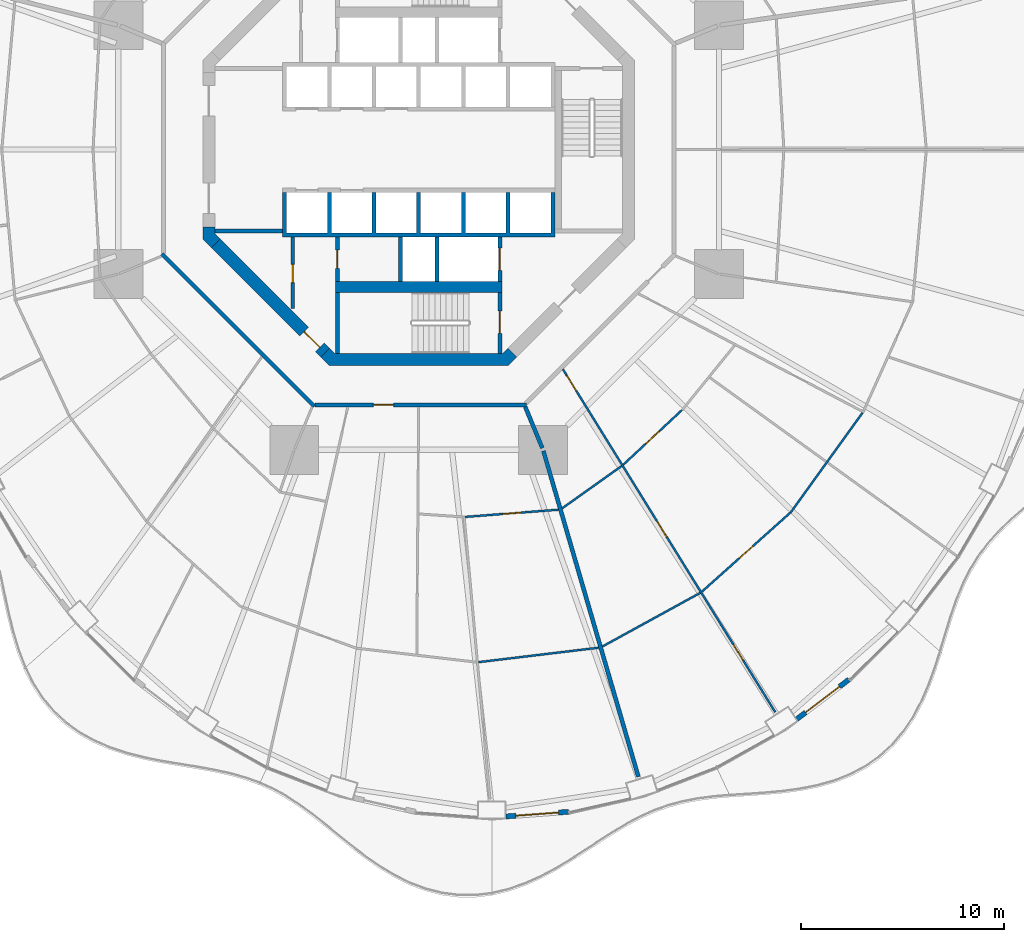
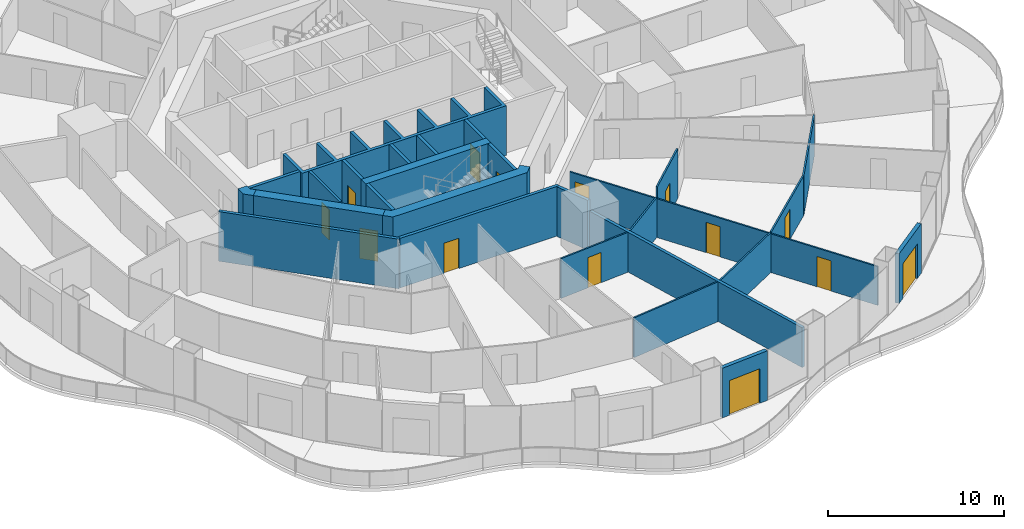
# One storey, part 15 of 22: 27 walls, 14 doors, 14 openings.
"""IFC4 building model written with IfcOpenShell, lengths in metres."""

import ifcopenshell
import ifcopenshell.guid

model = None  # the IFC model being written
_history = None  # IfcOwnerHistory: only IFC2X3 demands one
_inside = {}  # id of a spatial element -> (the spatial element, [elements in it])
_under = {}  # id of a project, library or spatial element -> (it, [spatial elements below it])
_declared = {}  # id of a project -> (the project, [libraries it declares])
_typed = {}  # id of a type object -> (the type object, [elements of that type])
_made_of = {}  # id of a material, layer set ... -> (it, [elements and type objects made of it])


def new_model(schema):
    """Start an empty IFC model of exactly this schema.

    Asked for "IFC4X3", IfcOpenShell would pick the latest addendum, in which some entities
    have other attributes; the version numbers below select the first issue.
    IFC2X3 requires an IfcOwnerHistory on every rooted entity: one is made here for all.
    """
    global model, _history
    if schema == "IFC4X3":
        model = ifcopenshell.file(schema_version=(4, 3, 0, 0))
    else:
        model = ifcopenshell.file(schema=schema)
    _inside.clear()
    _under.clear()
    _declared.clear()
    _typed.clear()
    _made_of.clear()
    _history = None
    if model.schema == "IFC2X3":
        org = make("IfcOrganization", Name="unknown")
        user = make(
            "IfcPersonAndOrganization",
            ThePerson=make("IfcPerson", FamilyName="unknown"),
            TheOrganization=org,
        )
        app = make(
            "IfcApplication",
            ApplicationDeveloper=org,
            Version="unknown",
            ApplicationFullName="unknown",
            ApplicationIdentifier="unknown",
        )
        _history = make(
            "IfcOwnerHistory",
            OwningUser=user,
            OwningApplication=app,
            ChangeAction="ADDED",
            CreationDate=0,
        )
    return model


def make(cls, **values):
    """One entity of the class cls with the attributes given. An attribute that is None is left unset."""
    return model.create_entity(
        cls, **{name: value for name, value in values.items() if value is not None}
    )


def rooted(cls, **values):
    """An entity with a GlobalId (a new one), such as an element, a storey or a relation."""
    return make(cls, GlobalId=ifcopenshell.guid.new(), OwnerHistory=_history, **values)


def si_unit(unit_type, name, prefix=None):
    """IfcSIUnit, for example si_unit("LENGTHUNIT", "METRE", prefix="MILLI")."""
    return make("IfcSIUnit", UnitType=unit_type, Prefix=prefix, Name=name)


def assignment(units):
    """IfcUnitAssignment: the units of a project."""
    return None if units is None else make("IfcUnitAssignment", Units=units)


def point(xyz):
    """IfcCartesianPoint."""
    return None if xyz is None else make("IfcCartesianPoint", Coordinates=xyz)


def direction(xyz):
    """IfcDirection."""
    return None if xyz is None else make("IfcDirection", DirectionRatios=xyz)


def frame(location, z_axis=None, x_axis=None):
    """IfcAxis2Placement3D, a coordinate frame: its origin and axes. An axis left out is left unset."""
    return make(
        "IfcAxis2Placement3D",
        Location=point(location),
        Axis=direction(z_axis),
        RefDirection=direction(x_axis),
    )


def frame_2d(location, x_axis=None):
    """IfcAxis2Placement2D, a coordinate frame in the plane: its origin and x axis."""
    return make(
        "IfcAxis2Placement2D", Location=point(location), RefDirection=direction(x_axis)
    )


def origin():
    """The frame at (0, 0, 0) with its axes left unset."""
    return frame((0.0, 0.0, 0.0))


def place(relative_to, where):
    """IfcLocalPlacement: puts the frame where relative to a parent placement (None: the world)."""
    return make(
        "IfcLocalPlacement", PlacementRelTo=relative_to, RelativePlacement=where
    )


def context(
    kind, dimensions, precision=None, world=None, true_north=None, identifier=None
):
    """IfcGeometricRepresentationContext, for example the 3D "Model" context."""
    return make(
        "IfcGeometricRepresentationContext",
        ContextIdentifier=identifier,
        ContextType=kind,
        CoordinateSpaceDimension=dimensions,
        Precision=precision,
        WorldCoordinateSystem=world,
        TrueNorth=true_north,
    )


def subcontext(parent, identifier, kind, view, scale=None):
    """IfcGeometricRepresentationSubContext, for example "Body" below "Model"."""
    return make(
        "IfcGeometricRepresentationSubContext",
        ContextIdentifier=identifier,
        ContextType=kind,
        ParentContext=parent,
        TargetScale=scale,
        TargetView=view,
    )


def project(units=None, contexts=None):
    """IfcProject with its units and contexts."""
    return rooted(
        "IfcProject",
        Name="project",
        RepresentationContexts=contexts,
        UnitsInContext=assignment(units),
    )


def spatial(cls, under=None, at=None, **own):
    """A site, building, storey or space (cls), placed at a placement, below another one or the project."""
    s = rooted(cls, ObjectPlacement=at, **own)
    if under is not None:
        _under.setdefault(under.id(), (under, []))[1].append(s)
    return s


def polyline(points):
    """IfcPolyline through the points."""
    return make("IfcPolyline", Points=[point(p) for p in points])


def profile(cls, at=None, kind="AREA", **sizes):
    """A parametric profile (cls). Its sizes go by their IFC names, for example OverallWidth=200.0."""
    return make(cls, ProfileType=kind, Position=at, **sizes)


def rectangle(**sizes):
    """IfcRectangleProfileDef."""
    return profile("IfcRectangleProfileDef", **sizes)


def outline(outer, holes=None, kind="AREA"):
    """IfcArbitraryClosedProfileDef: a profile drawn as a closed curve; with holes, ...WithVoids."""
    if holes is None:
        return make("IfcArbitraryClosedProfileDef", ProfileType=kind, OuterCurve=outer)
    return make(
        "IfcArbitraryProfileDefWithVoids",
        ProfileType=kind,
        OuterCurve=outer,
        InnerCurves=holes,
    )


def extrude(swept, where, along, depth):
    """IfcExtrudedAreaSolid: the profile swept, set in the frame where, extruded along a direction by depth."""
    return make(
        "IfcExtrudedAreaSolid",
        SweptArea=swept,
        Position=where,
        ExtrudedDirection=direction(along),
        Depth=depth,
    )


def shape(context_of_items, identifier, shape_type, items):
    """IfcShapeRepresentation: the items that make up one representation, for example the "Body"."""
    return make(
        "IfcShapeRepresentation",
        ContextOfItems=context_of_items,
        RepresentationIdentifier=identifier,
        RepresentationType=shape_type,
        Items=items,
    )


def material(Name=None, Category=None):
    """IfcMaterial."""
    return make("IfcMaterial", Name=Name, Category=Category)


def layer(
    of_material, thickness, ventilated=None, Name=None, Category=None, Priority=None
):
    """IfcMaterialLayer: one layer of a wall or slab, of a material (None: an air gap)."""
    return make(
        "IfcMaterialLayer",
        Material=of_material,
        LayerThickness=thickness,
        IsVentilated=ventilated,
        Name=Name,
        Category=Category,
        Priority=Priority,
    )


def layer_set(layers, Name=None):
    """IfcMaterialLayerSet."""
    return make("IfcMaterialLayerSet", MaterialLayers=layers, LayerSetName=Name)


def made_of(thing, what):
    """Note that an element or type object is made of a material, layer set ...; save() writes the relation."""
    if what is not None:
        _made_of.setdefault(what.id(), (what, []))[1].append(thing)
    return thing


def type_object(cls, material=None, **own):
    """A type object (cls), such as IfcWallType, which elements share."""
    return made_of(rooted(cls, **own), material)


def element(
    cls,
    number,
    at=None,
    inside=None,
    cuts=None,
    type_object=None,
    material=None,
    context=None,
    identifier="Body",
    shape_type=None,
    held_by="IfcProductDefinitionShape",
    body=None,
    shapes=None,
    **own,
):
    """One element of the class cls, such as IfcWall. Its Tag is "e" and its number.

    at: its placement. inside: the storey or other place that contains it. cuts: it is an
    opening in that element (IfcRelVoidsElement). A single representation is given by context,
    identifier, shape_type and body (its items); several are given by shapes. held_by: the class
    of the entity that holds the representations. save() writes the other relations.
    """
    e = rooted(cls, Tag="e%d" % number, ObjectPlacement=at, **own)
    if body is not None:
        shapes = [shape(context, identifier, shape_type, body)]
    if shapes is not None:
        e.Representation = make(held_by, Representations=shapes)
    if inside is not None:
        _inside.setdefault(inside.id(), (inside, []))[1].append(e)
    if cuts is not None:
        rooted(
            "IfcRelVoidsElement", RelatingBuildingElement=cuts, RelatedOpeningElement=e
        )
    if type_object is not None:
        _typed.setdefault(type_object.id(), (type_object, []))[1].append(e)
    return made_of(e, material)


def fill(opening, filler):
    """IfcRelFillsElement: the door or window that sits in an opening."""
    return rooted(
        "IfcRelFillsElement",
        RelatingOpeningElement=opening,
        RelatedBuildingElement=filler,
    )


def aggregate(whole, parts):
    """IfcRelAggregates: a whole, such as a stair, and the parts it consists of."""
    return rooted("IfcRelAggregates", RelatingObject=whole, RelatedObjects=parts)


def save(model, path):
    """Write the relations noted so far, then the file.

    IfcRelAggregates (storeys below a building ...), IfcRelContainedInSpatialStructure (elements
    in a storey), IfcRelDefinesByType, IfcRelAssociatesMaterial and IfcRelDeclares: one each for
    every whole, place, type object, material and project.
    """
    for whole, parts in _under.values():
        aggregate(whole, parts)
    for where, things in _inside.values():
        rooted(
            "IfcRelContainedInSpatialStructure",
            RelatedElements=things,
            RelatingStructure=where,
        )
    for kind, things in _typed.values():
        rooted("IfcRelDefinesByType", RelatedObjects=things, RelatingType=kind)
    for what, things in _made_of.values():
        rooted("IfcRelAssociatesMaterial", RelatedObjects=things, RelatingMaterial=what)
    for by, libraries in _declared.values():
        rooted("IfcRelDeclares", RelatingContext=by, RelatedDefinitions=libraries)
    model.write(path)


model = new_model("IFC4")

# Units and contexts
model_context = context("Model", 3, precision=1e-05, world=origin(), true_north=direction((0.0, 1.0)))
body_context = subcontext(model_context, "Body", "Model", "MODEL_VIEW")
ifc_project = project(units=[si_unit("LENGTHUNIT", "METRE"), si_unit("AREAUNIT", "SQUARE_METRE"), si_unit("VOLUMEUNIT", "CUBIC_METRE"), si_unit("PLANEANGLEUNIT", "RADIAN"), si_unit("MASSUNIT", "GRAM", prefix="KILO")], contexts=[model_context])

# Site, building, storey
site_placement = place(None, origin())
site = spatial("IfcSite", under=ifc_project, at=site_placement, CompositionType="ELEMENT")
building_placement = place(site_placement, origin())
building = spatial("IfcBuilding", under=site, at=building_placement, Name="Nagisa Residences", CompositionType="ELEMENT")
storey_placement = place(building_placement, frame((0.0, 0.0, 45.5)))
storey = spatial("IfcBuildingStorey", under=building, at=storey_placement, Name="L10", CompositionType="ELEMENT", Elevation=45.5)

# Walls
ifc_material_1 = material(Name="Gypsum board on steel studs", Category="steel")
ifc_layer_1 = layer(ifc_material_1, 0.199951171875)
ifc_layer_set_1 = layer_set([ifc_layer_1], Name="Apartment compartment wall EI60 200")
wall_type_1 = type_object("IfcWallType", Name="Apartment compartment wall EI60 200", PredefinedType="PARTITIONING", material=ifc_layer_set_1)
wall_1_placement = place(storey_placement, frame((5.24267578125, -12.6572265625, 0.0), z_axis=(0.0, 0.0, 1.0), x_axis=(0.382707856524, -0.923869415315, 0.0)))
element("IfcWall", 1, at=wall_1_placement, inside=storey, type_object=wall_type_1, Name="wall:L10:u04", PredefinedType="PARTITIONING", context=body_context, shape_type="SweptSolid", body=[
    extrude(rectangle(XDim=2.2001953125, YDim=0.199951171875, at=frame_2d((1.10009765625, 0.0))), origin(), (0.0, 0.0, 1.0), 3.43994140625),
])
wall_2_placement = place(storey_placement, frame((6.136962890625, -14.830078125, 0.0), z_axis=(0.0, 0.0, 1.0), x_axis=(0.27985745069, -0.960041565399, 0.0)))
element("IfcWall", 2, at=wall_2_placement, inside=storey, type_object=wall_type_1, Name="wall:L10:u05", PredefinedType="PARTITIONING", context=body_context, shape_type="SweptSolid", body=[
    extrude(rectangle(XDim=16.705078125, YDim=0.199951171875, at=frame_2d((8.3525390625, 0.0))), origin(), (0.0, 0.0, 1.0), 2.756103515625),
])
ifc_material_2 = material(Name="Gypsum board on steel studs", Category="steel")
ifc_layer_2 = layer(ifc_material_2, 0.199951171875)
ifc_layer_set_2 = layer_set([ifc_layer_2], Name="Apartment entry wall EI60 200")
wall_type_2 = type_object("IfcWallType", Name="Apartment entry wall EI60 200", PredefinedType="PARTITIONING", material=ifc_layer_set_2)
wall_3_placement = place(storey_placement, frame((-12.635498046875, -5.1337890625, 0.0), z_axis=(0.0, 0.0, 1.0), x_axis=(0.707106781187, -0.707106781187, 0.0)))
element("IfcWall", 3, at=wall_3_placement, inside=storey, type_object=wall_type_2, Name="wall:L10:u11", PredefinedType="PARTITIONING", context=body_context, shape_type="SweptSolid", body=[
    extrude(rectangle(XDim=10.609130859375, YDim=0.199951171875, at=frame_2d((5.3046875, 0.0))), origin(), (0.0, 0.0, 1.0), 3.43994140625),
])

# Wall, opening, door
wall_4_placement = place(storey_placement, frame((-5.1044921875, -12.564697265625, 0.0), z_axis=(0.0, 0.0, 1.0), x_axis=(1.0, 0.0, 0.0)))
wall_4 = element("IfcWall", 4, at=wall_4_placement, inside=storey, type_object=wall_type_2, Name="wall:L10:u12", PredefinedType="PARTITIONING", context=body_context, shape_type="SweptSolid", body=[
    extrude(rectangle(XDim=10.408935546875, YDim=0.199951171875, at=frame_2d((5.20458984375, 0.0))), origin(), (0.0, 0.0, 1.0), 3.43994140625),
])
opening_1_placement = place(wall_4_placement, frame((2.86962890625, 0.0, 0.0)))
opening_1 = element("IfcOpeningElement", 5, at=opening_1_placement, cuts=wall_4, Name="Opening L10-U21", PredefinedType="OPENING", context=body_context, shape_type="SweptSolid", body=[
    extrude(rectangle(XDim=1.0, YDim=2.10009765625, at=frame_2d((0.5, 1.050048828125))), frame((0.0, 0.10986328125, 0.0), z_axis=(0.0, -1.0, 0.0), x_axis=(1.0, 0.0, 0.0)), (0.0, 0.0, 1.0), 0.219970703125),
])
ifc_material_3 = material(Name="Timber fire door set", Category="wood")
door_type_1 = type_object("IfcDoorType", Name="Apartment entry door FD30S 1000x2100", OperationType="NOTDEFINED", PredefinedType="DOOR", material=ifc_material_3)
door_1_placement = place(opening_1_placement, frame((1.0, 0.0, 0.0), x_axis=(-1.0, 0.0, 0.0)))
door_1 = element("IfcDoor", 6, at=door_1_placement, inside=storey, type_object=door_type_1, Name="Entry door, Apartment 10B", OperationType="SINGLE_SWING_RIGHT", OverallHeight=2.10009765625, OverallWidth=1.0, PredefinedType="DOOR", context=body_context, shape_type="SweptSolid", body=[
    extrude(rectangle(XDim=1.0, YDim=2.10009765625, at=frame_2d((0.5, 1.050048828125))), frame((0.0, 0.02490234375, 0.0), z_axis=(0.0, -1.0, 0.0), x_axis=(1.0, 0.0, 0.0)), (0.0, 0.0, 1.0), 0.050048828125),
])
fill(opening_1, door_1)

ifc_material_4 = material(Name="Gypsum board on steel studs", Category="steel")
ifc_layer_3 = layer(ifc_material_4, 0.10009765625)
ifc_layer_set_3 = layer_set([ifc_layer_3], Name="Apartment partition 100")
wall_type_3 = type_object("IfcWallType", Name="Apartment partition 100", PredefinedType="PARTITIONING", material=ifc_layer_set_3)
wall_5_placement = place(storey_placement, frame((2.288330078125, -18.078369140625, 0.0), z_axis=(0.0, 0.0, 1.0), x_axis=(0.99701850123, 0.077162868047, 0.0)))
wall_5 = element("IfcWall", 7, at=wall_5_placement, inside=storey, type_object=wall_type_3, Name="wall:L10:u77", PredefinedType="PARTITIONING", context=body_context, shape_type="SweptSolid", body=[
    extrude(rectangle(XDim=4.603515625, YDim=0.10009765625, at=frame_2d((2.3017578125, 0.0))), origin(), (0.0, 0.0, 1.0), 2.756103515625),
])
opening_2_placement = place(wall_5_placement, frame((1.851806640625, 0.0, 0.0)))
opening_2 = element("IfcOpeningElement", 8, at=opening_2_placement, cuts=wall_5, Name="Opening L10-U26", PredefinedType="OPENING", context=body_context, shape_type="SweptSolid", body=[
    extrude(rectangle(XDim=0.89990234375, YDim=2.10009765625, at=frame_2d((0.449951171875, 1.050048828125))), frame((0.0, 0.06005859375, 0.0), z_axis=(0.0, -1.0, 0.0), x_axis=(1.0, 0.0, 0.0)), (0.0, 0.0, 1.0), 0.1201171875),
])
ifc_material_5 = material(Name="Timber door set", Category="wood")
door_type_2 = type_object("IfcDoorType", Name="Apartment door 900x2100", OperationType="NOTDEFINED", PredefinedType="DOOR", material=ifc_material_5)
door_2_placement = place(opening_2_placement, frame((0.89990234375, 0.0, 0.0), x_axis=(-1.0, 0.0, 0.0)))
door_2 = element("IfcDoor", 9, at=door_2_placement, inside=storey, type_object=door_type_2, Name="Door to kitchen, Apartment 10B", OperationType="SINGLE_SWING_LEFT", OverallHeight=2.10009765625, OverallWidth=0.89990234375, PredefinedType="DOOR", context=body_context, shape_type="SweptSolid", body=[
    extrude(rectangle(XDim=0.89990234375, YDim=2.10009765625, at=frame_2d((0.449951171875, 1.050048828125))), frame((0.0, 0.02490234375, 0.0), z_axis=(0.0, -1.0, 0.0), x_axis=(1.0, 0.0, 0.0)), (0.0, 0.0, 1.0), 0.050048828125),
])
fill(opening_2, door_2)

# Walls
wall_6_placement = place(storey_placement, frame((2.94091796875, -25.228515625, 0.0), z_axis=(0.0, 0.0, 1.0), x_axis=(0.992834127896, 0.119500604542, 0.0)))
element("IfcWall", 10, at=wall_6_placement, inside=storey, type_object=wall_type_3, Name="wall:L10:u78", PredefinedType="PARTITIONING", context=body_context, shape_type="SweptSolid", body=[
    extrude(rectangle(XDim=5.95947265625, YDim=0.10009765625, at=frame_2d((2.979736328125, 0.0))), origin(), (0.0, 0.0, 1.0), 2.756103515625),
])
wall_7_placement = place(storey_placement, frame((7.0595703125, -17.657470703125, 0.0), z_axis=(0.0, 0.0, 1.0), x_axis=(0.81492039338, 0.57957290521, 0.0)))
element("IfcWall", 11, at=wall_7_placement, inside=storey, type_object=wall_type_3, Name="wall:L10:u79", PredefinedType="PARTITIONING", context=body_context, shape_type="SweptSolid", body=[
    extrude(rectangle(XDim=3.594482421875, YDim=0.10009765625, at=frame_2d((1.79736328125, 0.0))), origin(), (0.0, 0.0, 1.0), 2.756103515625),
])
wall_8_placement = place(storey_placement, frame((9.044677734375, -24.456298828125, 0.0), z_axis=(0.0, 0.0, 1.0), x_axis=(0.876809987787, 0.480837025734, 0.0)))
element("IfcWall", 12, at=wall_8_placement, inside=storey, type_object=wall_type_3, Name="wall:L10:u80", PredefinedType="PARTITIONING", context=body_context, shape_type="SweptSolid", body=[
    extrude(rectangle(XDim=5.486083984375, YDim=0.10009765625, at=frame_2d((2.7431640625, 0.0))), origin(), (0.0, 0.0, 1.0), 2.756103515625),
])

# Wall, openings, doors
wall_9_placement = place(storey_placement, frame((7.09716796875, -10.809814453125, 0.0), z_axis=(0.0, 0.0, 1.0), x_axis=(0.526453266471, -0.850204068576, 0.0)))
wall_9 = element("IfcWall", 13, at=wall_9_placement, inside=storey, type_object=wall_type_3, Name="wall:L10:u81", PredefinedType="PARTITIONING", context=body_context, shape_type="SweptSolid", body=[
    extrude(rectangle(XDim=19.85009765625, YDim=0.10009765625, at=frame_2d((9.925048828125, 0.0))), origin(), (0.0, 0.0, 1.0), 2.68701171875),
])
opening_3_placement = place(wall_9_placement, frame((0.35009765625, 0.0, 0.0)))
opening_3 = element("IfcOpeningElement", 14, at=opening_3_placement, cuts=wall_9, Name="Opening L10-U50", PredefinedType="OPENING", context=body_context, shape_type="SweptSolid", body=[
    extrude(rectangle(XDim=0.89990234375, YDim=2.10009765625, at=frame_2d((0.449951171875, 1.050048828125))), frame((0.0, 0.06005859375, 0.0), z_axis=(0.0, -1.0, 0.0), x_axis=(1.0, 0.0, 0.0)), (0.0, 0.0, 1.0), 0.1201171875),
])
opening_4_placement = place(wall_9_placement, frame((8.794921875, 0.0, 0.0)))
opening_4 = element("IfcOpeningElement", 15, at=opening_4_placement, cuts=wall_9, Name="Opening L10-U51", PredefinedType="OPENING", context=body_context, shape_type="SweptSolid", body=[
    extrude(rectangle(XDim=0.89990234375, YDim=2.10009765625, at=frame_2d((0.449951171875, 1.050048828125))), frame((0.0, 0.06005859375, 0.0), z_axis=(0.0, -1.0, 0.0), x_axis=(1.0, 0.0, 0.0)), (0.0, 0.0, 1.0), 0.1201171875),
])
opening_5_placement = place(wall_9_placement, frame((15.93505859375, 0.0, 0.0)))
opening_5 = element("IfcOpeningElement", 16, at=opening_5_placement, cuts=wall_9, Name="Opening L10-U52", PredefinedType="OPENING", context=body_context, shape_type="SweptSolid", body=[
    extrude(rectangle(XDim=0.89990234375, YDim=2.10009765625, at=frame_2d((0.449951171875, 1.050048828125))), frame((0.0, 0.06005859375, 0.0), z_axis=(0.0, -1.0, 0.0), x_axis=(1.0, 0.0, 0.0)), (0.0, 0.0, 1.0), 0.1201171875),
])
door_3_placement = place(opening_3_placement, frame((0.89990234375, 0.0, 0.0), x_axis=(-1.0, 0.0, 0.0)))
door_3 = element("IfcDoor", 17, at=door_3_placement, inside=storey, type_object=door_type_2, Name="Door to laundry, Apartment 10C", OperationType="SINGLE_SWING_LEFT", OverallHeight=2.10009765625, OverallWidth=0.89990234375, PredefinedType="DOOR", context=body_context, shape_type="SweptSolid", body=[
    extrude(rectangle(XDim=0.89990234375, YDim=2.10009765625, at=frame_2d((0.449951171875, 1.050048828125))), frame((0.0, 0.02490234375, 0.0), z_axis=(0.0, -1.0, 0.0), x_axis=(1.0, 0.0, 0.0)), (0.0, 0.0, 1.0), 0.050048828125),
])
fill(opening_3, door_3)
door_4_placement = place(opening_4_placement, frame((0.89990234375, 0.0, 0.0), x_axis=(-1.0, 0.0, 0.0)))
door_4 = element("IfcDoor", 18, at=door_4_placement, inside=storey, type_object=door_type_2, Name="Door to kitchen, Apartment 10C", OperationType="SINGLE_SWING_RIGHT", OverallHeight=2.10009765625, OverallWidth=0.89990234375, PredefinedType="DOOR", context=body_context, shape_type="SweptSolid", body=[
    extrude(rectangle(XDim=0.89990234375, YDim=2.10009765625, at=frame_2d((0.449951171875, 1.050048828125))), frame((0.0, 0.02490234375, 0.0), z_axis=(0.0, -1.0, 0.0), x_axis=(1.0, 0.0, 0.0)), (0.0, 0.0, 1.0), 0.050048828125),
])
fill(opening_4, door_4)
door_5_placement = place(opening_5_placement, frame((0.89990234375, 0.0, 0.0), x_axis=(-1.0, 0.0, 0.0)))
door_5 = element("IfcDoor", 19, at=door_5_placement, inside=storey, type_object=door_type_2, Name="Door to master bedroom, Apartment 10C", OperationType="SINGLE_SWING_LEFT", OverallHeight=2.10009765625, OverallWidth=0.89990234375, PredefinedType="DOOR", context=body_context, shape_type="SweptSolid", body=[
    extrude(rectangle(XDim=0.89990234375, YDim=2.10009765625, at=frame_2d((0.449951171875, 1.050048828125))), frame((0.0, 0.02490234375, 0.0), z_axis=(0.0, -1.0, 0.0), x_axis=(1.0, 0.0, 0.0)), (0.0, 0.0, 1.0), 0.050048828125),
])
fill(opening_5, door_5)

# Wall, opening, door
wall_10_placement = place(storey_placement, frame((10.066162109375, -15.51123046875, 0.0), z_axis=(0.0, 0.0, 1.0), x_axis=(0.732022571638, 0.681280378855, 0.0)))
wall_10 = element("IfcWall", 20, at=wall_10_placement, inside=storey, type_object=wall_type_3, Name="wall:L10:u82", PredefinedType="PARTITIONING", context=body_context, shape_type="SweptSolid", body=[
    extrude(rectangle(XDim=3.9501953125, YDim=0.10009765625, at=frame_2d((1.97509765625, 0.0))), origin(), (0.0, 0.0, 1.0), 3.43994140625),
])
opening_6_placement = place(wall_10_placement, frame((1.525146484375, 0.0, 0.0)))
opening_6 = element("IfcOpeningElement", 21, at=opening_6_placement, cuts=wall_10, Name="Opening L10-U42", PredefinedType="OPENING", context=body_context, shape_type="SweptSolid", body=[
    extrude(rectangle(XDim=0.89990234375, YDim=2.10009765625, at=frame_2d((0.449951171875, 1.050048828125))), frame((0.0, 0.06005859375, 0.0), z_axis=(0.0, -1.0, 0.0), x_axis=(1.0, 0.0, 0.0)), (0.0, 0.0, 1.0), 0.1201171875),
])
door_6_placement = place(opening_6_placement, frame((0.89990234375, 0.0, 0.0), x_axis=(-1.0, 0.0, 0.0)))
door_6 = element("IfcDoor", 22, at=door_6_placement, inside=storey, type_object=door_type_2, Name="Door to family room, Apartment 10C", OperationType="SINGLE_SWING_LEFT", OverallHeight=2.10009765625, OverallWidth=0.89990234375, PredefinedType="DOOR", context=body_context, shape_type="SweptSolid", body=[
    extrude(rectangle(XDim=0.89990234375, YDim=2.10009765625, at=frame_2d((0.449951171875, 1.050048828125))), frame((0.0, 0.02490234375, 0.0), z_axis=(0.0, -1.0, 0.0), x_axis=(1.0, 0.0, 0.0)), (0.0, 0.0, 1.0), 0.050048828125),
])
fill(opening_6, door_6)

wall_11_placement = place(storey_placement, frame((13.936279296875, -21.760986328125, 0.0), z_axis=(0.0, 0.0, 1.0), x_axis=(0.745806142791, 0.666163041136, 0.0)))
wall_11 = element("IfcWall", 23, at=wall_11_placement, inside=storey, type_object=wall_type_3, Name="wall:L10:u83", PredefinedType="PARTITIONING", context=body_context, shape_type="SweptSolid", body=[
    extrude(rectangle(XDim=5.83056640625, YDim=0.10009765625, at=frame_2d((2.915283203125, 0.0))), origin(), (0.0, 0.0, 1.0), 2.756103515625),
])
opening_7_placement = place(wall_11_placement, frame((2.46533203125, 0.0, 0.0)))
opening_7 = element("IfcOpeningElement", 24, at=opening_7_placement, cuts=wall_11, Name="Opening L10-U46", PredefinedType="OPENING", context=body_context, shape_type="SweptSolid", body=[
    extrude(rectangle(XDim=0.89990234375, YDim=2.10009765625, at=frame_2d((0.449951171875, 1.050048828125))), frame((0.0, 0.06005859375, 0.0), z_axis=(0.0, -1.0, 0.0), x_axis=(1.0, 0.0, 0.0)), (0.0, 0.0, 1.0), 0.1201171875),
])
door_7_placement = place(opening_7_placement, frame((0.89990234375, 0.0, 0.0), x_axis=(-1.0, 0.0, 0.0)))
door_7 = element("IfcDoor", 25, at=door_7_placement, inside=storey, type_object=door_type_2, Name="Door to living room, Apartment 10C", OperationType="SINGLE_SWING_LEFT", OverallHeight=2.10009765625, OverallWidth=0.89990234375, PredefinedType="DOOR", context=body_context, shape_type="SweptSolid", body=[
    extrude(rectangle(XDim=0.89990234375, YDim=2.10009765625, at=frame_2d((0.449951171875, 1.050048828125))), frame((0.0, 0.02490234375, 0.0), z_axis=(0.0, -1.0, 0.0), x_axis=(1.0, 0.0, 0.0)), (0.0, 0.0, 1.0), 0.050048828125),
])
fill(opening_7, door_7)

# Wall
wall_12_placement = place(storey_placement, frame((18.292724609375, -17.884033203125, 0.0), z_axis=(0.0, 0.0, 1.0), x_axis=(0.584558392935, 0.811351640936, 0.0)))
element("IfcWall", 26, at=wall_12_placement, inside=storey, type_object=wall_type_3, Name="wall:L10:u85", PredefinedType="PARTITIONING", context=body_context, shape_type="SweptSolid", body=[
    extrude(rectangle(XDim=6.084228515625, YDim=0.10009765625, at=frame_2d((3.0419921875, 0.0))), origin(), (0.0, 0.0, 1.0), 2.756103515625),
])

# Wall, opening, door
ifc_material_6 = material(Name="Precast concrete C40/50", Category="concrete")
ifc_layer_4 = layer(ifc_material_6, 0.25)
ifc_layer_set_4 = layer_set([ifc_layer_4], Name="BALCONY DOOR WALL 250")
wall_type_4 = type_object("IfcWallType", Name="BALCONY DOOR WALL 250", PredefinedType="SOLIDWALL", material=ifc_layer_set_4)
wall_13_placement = place(storey_placement, frame((7.3759765625, -32.593017578125, 0.0), z_axis=(0.0, 0.0, 1.0), x_axis=(-0.997230834878, -0.074368420505, 0.0)))
wall_13 = element("IfcWall", 27, at=wall_13_placement, inside=storey, type_object=wall_type_4, Name="wall:L10:bay36", PredefinedType="SOLIDWALL", context=body_context, shape_type="SweptSolid", body=[
    extrude(rectangle(XDim=3.095703125, YDim=0.25, at=frame_2d((1.5478515625, 0.0))), origin(), (0.0, 0.0, 1.0), 3.43994140625),
])
opening_8_placement = place(wall_13_placement, frame((0.497802734375, 0.0, 0.0)))
opening_8 = element("IfcOpeningElement", 28, at=opening_8_placement, cuts=wall_13, Name="Opening BD-L10-13", PredefinedType="OPENING", context=body_context, shape_type="SweptSolid", body=[
    extrude(rectangle(XDim=2.10009765625, YDim=2.39990234375, at=frame_2d((1.050048828125, 1.199951171875))), frame((0.0, 0.135009765625, 0.0), z_axis=(0.0, -1.0, 0.0), x_axis=(1.0, 0.0, 0.0)), (0.0, 0.0, 1.0), 0.27001953125),
])
ifc_material_7 = material(Name="Aluminium and clear glass", Category="aluminium")
door_type_3 = type_object("IfcDoorType", Name="BALCONY SLIDING DOOR 2100x2400", OperationType="SLIDING_TO_LEFT", PredefinedType="DOOR", material=ifc_material_7)
door_8_placement = place(opening_8_placement, origin())
door_8 = element("IfcDoor", 29, at=door_8_placement, inside=storey, type_object=door_type_3, Name="door:L10:bay36", OperationType="SLIDING_TO_LEFT", OverallHeight=2.39990234375, OverallWidth=2.10009765625, PredefinedType="DOOR", context=body_context, shape_type="SweptSolid", body=[
    extrude(rectangle(XDim=2.10009765625, YDim=2.39990234375, at=frame_2d((1.050048828125, 1.199951171875))), frame((0.0, 0.02490234375, 0.0), z_axis=(0.0, -1.0, 0.0), x_axis=(1.0, 0.0, 0.0)), (0.0, 0.0, 1.0), 0.050048828125),
])
fill(opening_8, door_8)

wall_14_placement = place(storey_placement, frame((21.178466796875, -26.0810546875, 0.0), z_axis=(0.0, 0.0, 1.0), x_axis=(-0.796022293214, -0.605267303517, 0.0)))
wall_14 = element("IfcWall", 30, at=wall_14_placement, inside=storey, type_object=wall_type_4, Name="wall:L10:bay40", PredefinedType="SOLIDWALL", context=body_context, shape_type="SweptSolid", body=[
    extrude(rectangle(XDim=3.262451171875, YDim=0.25, at=frame_2d((1.63134765625, 0.0))), origin(), (0.0, 0.0, 1.0), 3.43994140625),
])
opening_9_placement = place(wall_14_placement, frame((0.5810546875, 0.0, 0.0)))
opening_9 = element("IfcOpeningElement", 31, at=opening_9_placement, cuts=wall_14, Name="Opening BD-L10-14", PredefinedType="OPENING", context=body_context, shape_type="SweptSolid", body=[
    extrude(rectangle(XDim=2.10009765625, YDim=2.39990234375, at=frame_2d((1.050048828125, 1.199951171875))), frame((0.0, 0.135009765625, 0.0), z_axis=(0.0, -1.0, 0.0), x_axis=(1.0, 0.0, 0.0)), (0.0, 0.0, 1.0), 0.27001953125),
])
door_9_placement = place(opening_9_placement, origin())
door_9 = element("IfcDoor", 32, at=door_9_placement, inside=storey, type_object=door_type_3, Name="door:L10:bay40", OperationType="SLIDING_TO_LEFT", OverallHeight=2.39990234375, OverallWidth=2.10009765625, PredefinedType="DOOR", context=body_context, shape_type="SweptSolid", body=[
    extrude(rectangle(XDim=2.10009765625, YDim=2.39990234375, at=frame_2d((1.050048828125, 1.199951171875))), frame((0.0, 0.02490234375, 0.0), z_axis=(0.0, -1.0, 0.0), x_axis=(1.0, 0.0, 0.0)), (0.0, 0.0, 1.0), 0.050048828125),
])
fill(opening_9, door_9)

ifc_material_8 = material(Name="Gypsum board on steel studs", Category="steel")
ifc_layer_5 = layer(ifc_material_8, 0.14990234375)
ifc_layer_set_5 = layer_set([ifc_layer_5], Name="Core partition 150")
wall_type_5 = type_object("IfcWallType", Name="Core partition 150", PredefinedType="PARTITIONING", material=ifc_layer_set_5)
wall_15_placement = place(storey_placement, frame((-6.199951171875, -7.826904296875, 0.0), z_axis=(0.0, 0.0, 1.0), x_axis=(0.0, 1.0, 0.0)))
wall_15 = element("IfcWall", 33, at=wall_15_placement, inside=storey, type_object=wall_type_5, Name="wall:L10:SWp", PredefinedType="PARTITIONING", context=body_context, shape_type="SweptSolid", body=[
    extrude(rectangle(XDim=3.52685546875, YDim=0.14990234375, at=frame_2d((1.763427734375, 0.0))), origin(), (0.0, 0.0, 1.0), 3.43994140625),
])
opening_10_placement = place(wall_15_placement, frame((1.27587890625, 0.0, 0.0)))
opening_10 = element("IfcOpeningElement", 34, at=opening_10_placement, cuts=wall_15, Name="Opening L10-C13", PredefinedType="OPENING", context=body_context, shape_type="SweptSolid", body=[
    extrude(rectangle(XDim=0.89990234375, YDim=2.10009765625, at=frame_2d((0.449951171875, 1.050048828125))), frame((0.0, 0.0849609375, 0.0), z_axis=(0.0, -1.0, 0.0), x_axis=(1.0, 0.0, 0.0)), (0.0, 0.0, 1.0), 0.169921875),
])
ifc_material_9 = material(Name="Steel fire door", Category="steel")
door_type_4 = type_object("IfcDoorType", Name="Fire door EI30 900x2100 single swing", OperationType="NOTDEFINED", PredefinedType="DOOR", material=ifc_material_9)
door_10_placement = place(opening_10_placement, origin())
door_10 = element("IfcDoor", 35, at=door_10_placement, inside=storey, type_object=door_type_4, Name="Janitor door L10", OperationType="SINGLE_SWING_RIGHT", OverallHeight=2.10009765625, OverallWidth=0.89990234375, PredefinedType="DOOR", context=body_context, shape_type="SweptSolid", body=[
    extrude(rectangle(XDim=0.89990234375, YDim=2.10009765625, at=frame_2d((0.449951171875, 1.050048828125))), frame((0.0, 0.02490234375, 0.0), z_axis=(0.0, -1.0, 0.0), x_axis=(1.0, 0.0, 0.0)), (0.0, 0.0, 1.0), 0.050048828125),
])
fill(opening_10, door_10)

# Wall
ifc_material_10 = material(Name="Gypsum board on steel studs", Category="steel")
ifc_layer_6 = layer(ifc_material_10, 0.199951171875)
ifc_layer_set_6 = layer_set([ifc_layer_6], Name="Core partition 200")
wall_type_6 = type_object("IfcWallType", Name="Core partition 200", PredefinedType="PARTITIONING", material=ifc_layer_set_6)
wall_16_placement = place(storey_placement, frame((-10.024658203125, -4.0, 0.0), z_axis=(0.0, 0.0, 1.0), x_axis=(1.0, 0.0, 0.0)))
element("IfcWall", 36, at=wall_16_placement, inside=storey, type_object=wall_type_6, Name="wall:L10:PSW", PredefinedType="PARTITIONING", context=body_context, shape_type="SweptSolid", body=[
    extrude(rectangle(XDim=3.32470703125, YDim=0.199951171875, at=frame_2d((1.662353515625, 0.0))), origin(), (0.0, 0.0, 1.0), 3.43994140625),
])

# Wall, opening, door
ifc_material_11 = material(Name="Concrete C60", Category="concrete")
ifc_layer_7 = layer(ifc_material_11, 0.60009765625)
ifc_layer_set_7 = layer_set([ifc_layer_7], Name="Core shear wall 600")
wall_type_7 = type_object("IfcWallType", Name="Core shear wall 600", PredefinedType="SHEAR", material=ifc_layer_set_7)
wall_17_placement = place(storey_placement, frame((-9.98828125, -4.613037109375, 0.0), z_axis=(0.0, 0.0, 1.0), x_axis=(0.707106781187, -0.707106781187, 0.0)))
wall_17 = element("IfcWall", 37, at=wall_17_placement, inside=storey, type_object=wall_type_7, Name="wall:L10:core:flat5", PredefinedType="SHEAR", context=body_context, shape_type="SweptSolid", body=[
    extrude(rectangle(XDim=7.601806640625, YDim=0.60009765625, at=frame_2d((3.80078125, 0.0))), origin(), (0.0, 0.0, 1.0), 3.43994140625),
])
opening_11_placement = place(wall_17_placement, frame((6.15087890625, 0.0, 0.0)))
opening_11 = element("IfcOpeningElement", 38, at=opening_11_placement, cuts=wall_17, Name="Opening L10-C20", PredefinedType="OPENING", context=body_context, shape_type="SweptSolid", body=[
    extrude(rectangle(XDim=1.10009765625, YDim=2.10009765625, at=frame_2d((0.550048828125, 1.050048828125))), frame((0.0, 0.31005859375, 0.0), z_axis=(0.0, -1.0, 0.0), x_axis=(1.0, 0.0, 0.0)), (0.0, 0.0, 1.0), 0.6201171875),
])
ifc_material_12 = material(Name="Steel fire door", Category="steel")
door_type_5 = type_object("IfcDoorType", Name="Fire door EI60 1100x2100 single swing", OperationType="NOTDEFINED", PredefinedType="DOOR", material=ifc_material_12)
door_11_placement = place(opening_11_placement, origin())
door_11 = element("IfcDoor", 39, at=door_11_placement, inside=storey, type_object=door_type_5, Name="Housekeeping lobby door L10", OperationType="SINGLE_SWING_RIGHT", OverallHeight=2.10009765625, OverallWidth=1.10009765625, PredefinedType="DOOR", context=body_context, shape_type="SweptSolid", body=[
    extrude(rectangle(XDim=1.10009765625, YDim=2.10009765625, at=frame_2d((0.550048828125, 1.050048828125))), frame((0.0, 0.02490234375, 0.0), z_axis=(0.0, -1.0, 0.0), x_axis=(1.0, 0.0, 0.0)), (0.0, 0.0, 1.0), 0.050048828125),
])
fill(opening_11, door_11)

# Walls
wall_18_placement = place(storey_placement, origin())
element("IfcWall", 40, at=wall_18_placement, inside=storey, type_object=wall_type_7, Name="wall:L10:core:pier4", PredefinedType="SHEAR", context=body_context, shape_type="SweptSolid", body=[
    extrude(outline(polyline([(-10.62451171875, -3.80078125), (-10.024658203125, -3.80078125), (-10.024658203125, -4.15234375), (-9.776123046875, -4.40087890625), (-10.200439453125, -4.8251953125), (-10.62451171875, -4.40087890625), (-10.62451171875, -3.80078125)])), origin(), (0.0, 0.0, 1.0), 3.43994140625),
])
wall_19_placement = place(storey_placement, origin())
element("IfcWall", 41, at=wall_19_placement, inside=storey, type_object=wall_type_7, Name="wall:L10:core:flat6", PredefinedType="SHEAR", context=body_context, shape_type="SweptSolid", body=[
    extrude(outline(polyline([(-4.15234375, -10.024658203125), (4.15234375, -10.024658203125), (4.40087890625, -9.776123046875), (4.8251953125, -10.200439453125), (4.40087890625, -10.62451171875), (-4.40087890625, -10.62451171875), (-4.8251953125, -10.200439453125), (-4.40087890625, -9.776123046875), (-4.15234375, -10.024658203125)])), origin(), (0.0, 0.0, 1.0), 3.43994140625),
])

# Wall, opening, door
ifc_material_13 = material(Name="Concrete C60", Category="concrete")
ifc_layer_8 = layer(ifc_material_13, 0.199951171875)
ifc_layer_set_8 = layer_set([ifc_layer_8], Name="Lift shaft wall 200")
wall_type_8 = type_object("IfcWallType", Name="Lift shaft wall 200", PredefinedType="SOLIDWALL", material=ifc_layer_set_8)
wall_20_placement = place(storey_placement, frame((4.0, -6.5, 0.0), z_axis=(0.0, 0.0, 1.0), x_axis=(0.0, 1.0, 0.0)))
wall_20 = element("IfcWall", 42, at=wall_20_placement, inside=storey, type_object=wall_type_8, Name="wall:L10:Sb3", PredefinedType="SOLIDWALL", context=body_context, shape_type="SweptSolid", body=[
    extrude(rectangle(XDim=2.199951171875, YDim=0.199951171875, at=frame_2d((1.10009765625, 0.0))), origin(), (0.0, 0.0, 1.0), 3.43994140625),
])
opening_12_placement = place(wall_20_placement, frame((0.550048828125, 0.0, 0.0)))
opening_12 = element("IfcOpeningElement", 43, at=opening_12_placement, cuts=wall_20, Name="Opening L10-C07", PredefinedType="OPENING", context=body_context, shape_type="SweptSolid", body=[
    extrude(rectangle(XDim=1.10009765625, YDim=2.10009765625, at=frame_2d((0.550048828125, 1.050048828125))), frame((0.0, 0.10986328125, 0.0), z_axis=(0.0, -1.0, 0.0), x_axis=(1.0, 0.0, 0.0)), (0.0, 0.0, 1.0), 0.219970703125),
])
ifc_material_14 = material(Name="Stainless steel", Category="steel")
door_type_6 = type_object("IfcDoorType", Name="Lift landing door 1100x2100", OperationType="DOUBLE_DOOR_SLIDING", PredefinedType="DOOR", material=ifc_material_14)
door_12_placement = place(opening_12_placement, origin())
door_12 = element("IfcDoor", 44, at=door_12_placement, inside=storey, type_object=door_type_6, Name="Landing door FL2 L10", OperationType="DOUBLE_DOOR_SLIDING", OverallHeight=2.10009765625, OverallWidth=1.10009765625, PredefinedType="DOOR", context=body_context, shape_type="SweptSolid", body=[
    extrude(rectangle(XDim=1.10009765625, YDim=2.10009765625, at=frame_2d((0.550048828125, 1.050048828125))), frame((0.0, 0.02490234375, 0.0), z_axis=(0.0, -1.0, 0.0), x_axis=(1.0, 0.0, 0.0)), (0.0, 0.0, 1.0), 0.050048828125),
])
fill(opening_12, door_12)

wall_21_placement = place(storey_placement, frame((-4.0, -6.5, 0.0), z_axis=(0.0, 0.0, 1.0), x_axis=(0.0, 1.0, 0.0)))
wall_21 = element("IfcWall", 45, at=wall_21_placement, inside=storey, type_object=wall_type_8, Name="wall:L10:Sb4", PredefinedType="SOLIDWALL", context=body_context, shape_type="SweptSolid", body=[
    extrude(rectangle(XDim=2.199951171875, YDim=0.199951171875, at=frame_2d((1.10009765625, 0.0))), origin(), (0.0, 0.0, 1.0), 3.43994140625),
])
opening_13_placement = place(wall_21_placement, frame((0.64990234375, 0.0, 0.0)))
opening_13 = element("IfcOpeningElement", 46, at=opening_13_placement, cuts=wall_21, Name="Opening L10-C14", PredefinedType="OPENING", context=body_context, shape_type="SweptSolid", body=[
    extrude(rectangle(XDim=0.89990234375, YDim=2.10009765625, at=frame_2d((0.449951171875, 1.050048828125))), frame((0.0, 0.10986328125, 0.0), z_axis=(0.0, -1.0, 0.0), x_axis=(1.0, 0.0, 0.0)), (0.0, 0.0, 1.0), 0.219970703125),
])
door_13_placement = place(opening_13_placement, frame((0.89990234375, 0.0, 0.0), x_axis=(-1.0, 0.0, 0.0)))
door_13 = element("IfcDoor", 47, at=door_13_placement, inside=storey, type_object=door_type_4, Name="Refuse room door L10", OperationType="SINGLE_SWING_RIGHT", OverallHeight=2.10009765625, OverallWidth=0.89990234375, PredefinedType="DOOR", context=body_context, shape_type="SweptSolid", body=[
    extrude(rectangle(XDim=0.89990234375, YDim=2.10009765625, at=frame_2d((0.449951171875, 1.050048828125))), frame((0.0, 0.02490234375, 0.0), z_axis=(0.0, -1.0, 0.0), x_axis=(1.0, 0.0, 0.0)), (0.0, 0.0, 1.0), 0.050048828125),
])
fill(opening_13, door_13)

# Walls
for number, where, z_axis, x_axis, name in (
    (48, (-0.89990234375, -6.5, 0.0), (0.0, 0.0, 1.0), (0.0, 1.0, 0.0), "wall:L10:Sb1"),
    (49, (0.89990234375, -6.5, 0.0), (0.0, 0.0, 1.0), (0.0, 1.0, 0.0), "wall:L10:Sb2"),
):
    element("IfcWall", number, at=place(storey_placement, frame(where, z_axis=z_axis, x_axis=x_axis)), inside=storey, type_object=wall_type_8, Name=name, PredefinedType="SOLIDWALL", context=body_context, shape_type="SweptSolid", body=[
        extrude(rectangle(XDim=2.199951171875, YDim=0.199951171875, at=frame_2d((1.10009765625, 0.0))), origin(), (0.0, 0.0, 1.0), 3.43994140625),
    ])
wall_22_placement = place(storey_placement, origin())
element("IfcWall", 50, at=wall_22_placement, inside=storey, type_object=wall_type_8, Name="wall:L10:Sback", PredefinedType="SOLIDWALL", context=body_context, shape_type="SweptSolid", body=[
    extrude(outline(polyline([(-6.699951171875, -2.10009765625), (-6.5, -2.10009765625), (-6.5, -4.10009765625), (-4.5, -4.10009765625), (-4.5, -2.10009765625), (-4.300048828125, -2.10009765625), (-4.300048828125, -4.10009765625), (-2.300048828125, -4.10009765625), (-2.300048828125, -2.10009765625), (-2.10009765625, -2.10009765625), (-2.10009765625, -4.10009765625), (-0.10009765625, -4.10009765625), (-0.10009765625, -2.10009765625), (0.10009765625, -2.10009765625), (0.10009765625, -4.10009765625), (2.10009765625, -4.10009765625), (2.10009765625, -2.10009765625), (2.300048828125, -2.10009765625), (2.300048828125, -4.10009765625), (4.300048828125, -4.10009765625), (4.300048828125, -2.10009765625), (4.5, -2.10009765625), (4.5, -4.10009765625), (6.5, -4.10009765625), (6.5, -2.10009765625), (6.699951171875, -2.10009765625), (6.699951171875, -4.300048828125), (-6.699951171875, -4.300048828125), (-6.699951171875, -2.10009765625)])), origin(), (0.0, 0.0, 1.0), 3.43994140625),
])

# Wall, opening, door
ifc_material_15 = material(Name="Concrete C60", Category="concrete")
ifc_layer_9 = layer(ifc_material_15, 0.199951171875)
ifc_layer_set_9 = layer_set([ifc_layer_9], Name="Stair enclosure wall 200")
wall_type_9 = type_object("IfcWallType", Name="Stair enclosure wall 200", PredefinedType="SOLIDWALL", material=ifc_layer_set_9)
wall_23_placement = place(storey_placement, frame((4.0, -10.024658203125, 0.0), z_axis=(0.0, 0.0, 1.0), x_axis=(0.0, 1.0, 0.0)))
wall_23 = element("IfcWall", 51, at=wall_23_placement, inside=storey, type_object=wall_type_9, Name="wall:L10:SS_e", PredefinedType="SOLIDWALL", context=body_context, shape_type="SweptSolid", body=[
    extrude(rectangle(XDim=3.0, YDim=0.199951171875, at=frame_2d((1.5, 0.0))), origin(), (0.0, 0.0, 1.0), 3.43994140625),
])
opening_14_placement = place(wall_23_placement, frame((0.974609375, 0.0, 0.0)))
opening_14 = element("IfcOpeningElement", 52, at=opening_14_placement, cuts=wall_23, Name="Opening L10-C11", PredefinedType="OPENING", context=body_context, shape_type="SweptSolid", body=[
    extrude(rectangle(XDim=1.10009765625, YDim=2.10009765625, at=frame_2d((0.550048828125, 1.050048828125))), frame((0.0, 0.10986328125, 0.0), z_axis=(0.0, -1.0, 0.0), x_axis=(1.0, 0.0, 0.0)), (0.0, 0.0, 1.0), 0.219970703125),
])
ifc_material_16 = material(Name="Steel fire door", Category="steel")
door_type_7 = type_object("IfcDoorType", Name="Fire door EI90 1100x2100 single swing", OperationType="NOTDEFINED", PredefinedType="DOOR", material=ifc_material_16)
door_14_placement = place(opening_14_placement, origin())
door_14 = element("IfcDoor", 53, at=door_14_placement, inside=storey, type_object=door_type_7, Name="Stair door ST-S L10", OperationType="SINGLE_SWING_RIGHT", OverallHeight=2.10009765625, OverallWidth=1.10009765625, PredefinedType="DOOR", context=body_context, shape_type="SweptSolid", body=[
    extrude(rectangle(XDim=1.10009765625, YDim=2.10009765625, at=frame_2d((0.550048828125, 1.050048828125))), frame((0.0, 0.02490234375, 0.0), z_axis=(0.0, -1.0, 0.0), x_axis=(1.0, 0.0, 0.0)), (0.0, 0.0, 1.0), 0.050048828125),
])
fill(opening_14, door_14)

# Walls
wall_24_placement = place(storey_placement, origin())
element("IfcWall", 54, at=wall_24_placement, inside=storey, type_object=wall_type_9, Name="wall:L10:SS_w", PredefinedType="SOLIDWALL", context=body_context, shape_type="SweptSolid", body=[
    extrude(outline(polyline([(-3.89990234375, -10.024658203125), (-4.10009765625, -10.024658203125), (-4.10009765625, -7.024658203125), (-3.89990234375, -7.024658203125), (-3.89990234375, -10.024658203125)])), origin(), (0.0, 0.0, 1.0), 3.43994140625),
])
wall_25_placement = place(storey_placement, origin())
element("IfcWall", 55, at=wall_25_placement, inside=storey, type_object=wall_type_9, Name="wall:L10:SS_n", PredefinedType="SOLIDWALL", context=body_context, shape_type="SweptSolid", body=[
    extrude(outline(polyline([(4.10009765625, -7.024658203125), (-4.10009765625, -7.024658203125), (-4.10009765625, -6.5), (4.10009765625, -6.5), (4.10009765625, -7.024658203125)])), origin(), (0.0, 0.0, 1.0), 3.43994140625),
])

save(model, "model.ifc")
